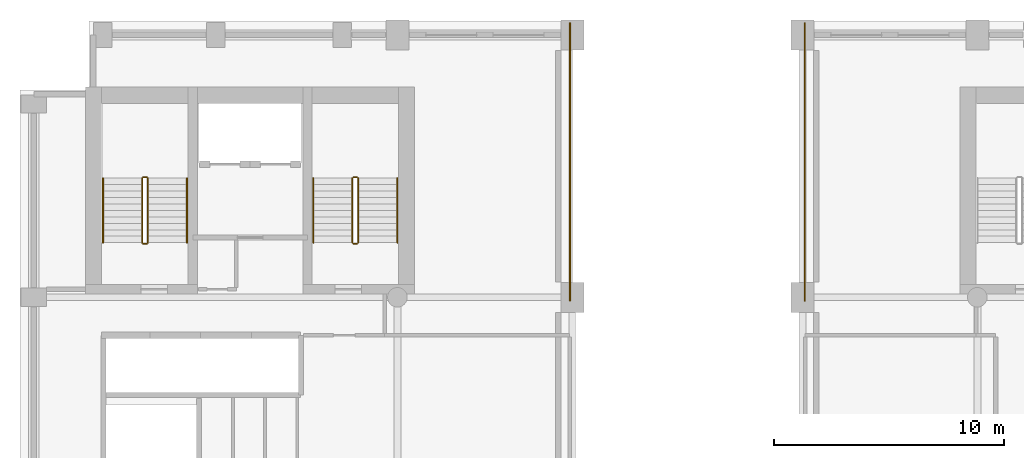
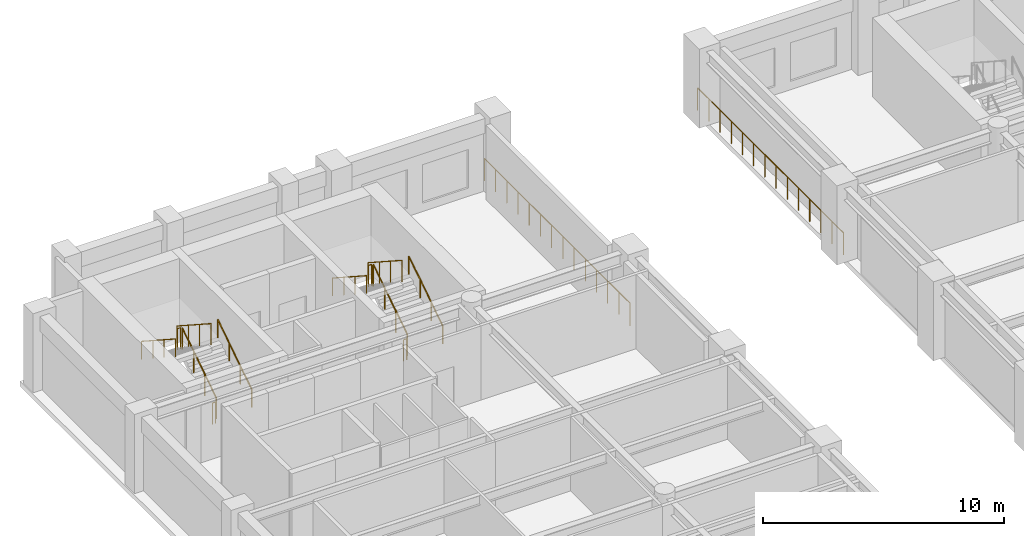
# One storey, part 7 of 8: 14 railings.
"""IFC4 building model written with IfcOpenShell, lengths in metres."""

from ifc_helpers import new_model, si_unit, direction, frame, origin, origin_2d, place, context, subcontext, project, spatial, circle, extrude, material, type_object, element, save


model = new_model("IFC4")

# Units and contexts
model_context = context("Model", 3, precision=1e-05, world=origin(), true_north=direction((0.0, 1.0)))
body_context = subcontext(model_context, "Body", "Model", "MODEL_VIEW")
ifc_project = project(units=[si_unit("LENGTHUNIT", "METRE"), si_unit("AREAUNIT", "SQUARE_METRE"), si_unit("VOLUMEUNIT", "CUBIC_METRE"), si_unit("PLANEANGLEUNIT", "RADIAN"), si_unit("MASSUNIT", "GRAM", prefix="KILO")], contexts=[model_context])

# Site, building, storey
site_placement = place(None, origin())
site = spatial("IfcSite", under=ifc_project, at=site_placement, CompositionType="ELEMENT")
building_placement = place(site_placement, origin())
building = spatial("IfcBuilding", under=site, at=building_placement, Name="Sulina Concourse Tower", CompositionType="ELEMENT")
storey_placement = place(building_placement, frame((0.0, 0.0, 186.60009765625)))
storey = spatial("IfcBuildingStorey", under=building, at=storey_placement, Name="L45", CompositionType="ELEMENT", Elevation=186.60009765625)

# Railings
ifc_material_1 = material(Name="Galvanised steel railing", Category="steel")
railing_type_1 = type_object("IfcRailingType", Name="Core Stair Steel Guardrail 1150mm", PredefinedType="GUARDRAIL", material=ifc_material_1)
railing_1_placement = place(storey_placement, frame((23.89990234375, 33.85009765625, 0.0)))
element("IfcRailing", 1, at=railing_1_placement, inside=storey, type_object=railing_type_1, Name="L45 perimeter edge safety guardrail PFLW", PredefinedType="GUARDRAIL", context=body_context, shape_type="SweptSolid", body=[
    extrude(circle(Radius=0.02392578125, at=origin_2d()), frame((0.0, 0.0, 1.1259765625), z_axis=(0.0, 1.0, 0.0), x_axis=(-1.0, 0.0, 0.0)), (0.0, 0.0, 1.0), 12.06982421875),
    extrude(circle(Radius=0.02099609375, at=origin_2d()), origin(), (0.0, 0.0, 1.0), 1.101806640625),
    extrude(circle(Radius=0.02099609375, at=origin_2d()), frame((0.0, 0.928466796875, 0.0)), (0.0, 0.0, 1.0), 1.101806640625),
    extrude(circle(Radius=0.02099609375, at=origin_2d()), frame((0.0, 1.85693359375, 0.0)), (0.0, 0.0, 1.0), 1.101806640625),
    extrude(circle(Radius=0.02099609375, at=origin_2d()), frame((0.0, 2.785400390625, 0.0)), (0.0, 0.0, 1.0), 1.101806640625),
    extrude(circle(Radius=0.02099609375, at=origin_2d()), frame((0.0, 3.7138671875, 0.0)), (0.0, 0.0, 1.0), 1.101806640625),
    extrude(circle(Radius=0.02099609375, at=origin_2d()), frame((0.0, 4.642333984375, 0.0)), (0.0, 0.0, 1.0), 1.101806640625),
    extrude(circle(Radius=0.02099609375, at=origin_2d()), frame((0.0, 5.57080078125, 0.0)), (0.0, 0.0, 1.0), 1.101806640625),
    extrude(circle(Radius=0.02099609375, at=origin_2d()), frame((0.0, 6.4990234375, 0.0)), (0.0, 0.0, 1.0), 1.101806640625),
    extrude(circle(Radius=0.02099609375, at=origin_2d()), frame((0.0, 7.427490234375, 0.0)), (0.0, 0.0, 1.0), 1.101806640625),
    extrude(circle(Radius=0.02099609375, at=origin_2d()), frame((0.0, 8.35595703125, 0.0)), (0.0, 0.0, 1.0), 1.101806640625),
    extrude(circle(Radius=0.02099609375, at=origin_2d()), frame((0.0, 9.284423828125, 0.0)), (0.0, 0.0, 1.0), 1.101806640625),
    extrude(circle(Radius=0.02099609375, at=origin_2d()), frame((0.0, 10.212890625, 0.0)), (0.0, 0.0, 1.0), 1.101806640625),
    extrude(circle(Radius=0.02099609375, at=origin_2d()), frame((0.0, 11.141357421875, 0.0)), (0.0, 0.0, 1.0), 1.101806640625),
    extrude(circle(Radius=0.02099609375, at=origin_2d()), frame((0.0, 12.06982421875, 0.0)), (0.0, 0.0, 1.0), 1.101806640625),
])
railing_2_placement = place(storey_placement, frame((34.10009765625, 33.85009765625, 0.0)))
element("IfcRailing", 2, at=railing_2_placement, inside=storey, type_object=railing_type_1, Name="L45 perimeter edge safety guardrail PFLE", PredefinedType="GUARDRAIL", context=body_context, shape_type="SweptSolid", body=[
    extrude(circle(Radius=0.02392578125, at=origin_2d()), frame((0.0, 0.0, 1.1259765625), z_axis=(0.0, 1.0, 0.0), x_axis=(-1.0, 0.0, 0.0)), (0.0, 0.0, 1.0), 12.06982421875),
    extrude(circle(Radius=0.02099609375, at=origin_2d()), origin(), (0.0, 0.0, 1.0), 1.101806640625),
    extrude(circle(Radius=0.02099609375, at=origin_2d()), frame((0.0, 0.928466796875, 0.0)), (0.0, 0.0, 1.0), 1.101806640625),
    extrude(circle(Radius=0.02099609375, at=origin_2d()), frame((0.0, 1.85693359375, 0.0)), (0.0, 0.0, 1.0), 1.101806640625),
    extrude(circle(Radius=0.02099609375, at=origin_2d()), frame((0.0, 2.785400390625, 0.0)), (0.0, 0.0, 1.0), 1.101806640625),
    extrude(circle(Radius=0.02099609375, at=origin_2d()), frame((0.0, 3.7138671875, 0.0)), (0.0, 0.0, 1.0), 1.101806640625),
    extrude(circle(Radius=0.02099609375, at=origin_2d()), frame((0.0, 4.642333984375, 0.0)), (0.0, 0.0, 1.0), 1.101806640625),
    extrude(circle(Radius=0.02099609375, at=origin_2d()), frame((0.0, 5.57080078125, 0.0)), (0.0, 0.0, 1.0), 1.101806640625),
    extrude(circle(Radius=0.02099609375, at=origin_2d()), frame((0.0, 6.4990234375, 0.0)), (0.0, 0.0, 1.0), 1.101806640625),
    extrude(circle(Radius=0.02099609375, at=origin_2d()), frame((0.0, 7.427490234375, 0.0)), (0.0, 0.0, 1.0), 1.101806640625),
    extrude(circle(Radius=0.02099609375, at=origin_2d()), frame((0.0, 8.35595703125, 0.0)), (0.0, 0.0, 1.0), 1.101806640625),
    extrude(circle(Radius=0.02099609375, at=origin_2d()), frame((0.0, 9.284423828125, 0.0)), (0.0, 0.0, 1.0), 1.101806640625),
    extrude(circle(Radius=0.02099609375, at=origin_2d()), frame((0.0, 10.212890625, 0.0)), (0.0, 0.0, 1.0), 1.101806640625),
    extrude(circle(Radius=0.02099609375, at=origin_2d()), frame((0.0, 11.141357421875, 0.0)), (0.0, 0.0, 1.0), 1.101806640625),
    extrude(circle(Radius=0.02099609375, at=origin_2d()), frame((0.0, 12.06982421875, 0.0)), (0.0, 0.0, 1.0), 1.101806640625),
])
railing_3_placement = place(storey_placement, frame((5.554931640625, 36.375, 0.181640625)))
element("IfcRailing", 3, at=railing_3_placement, inside=storey, type_object=railing_type_1, Name="L45 ST-1 stair guard 1", PredefinedType="GUARDRAIL", context=body_context, shape_type="SweptSolid", body=[
    extrude(circle(Radius=0.02392578125, at=origin_2d()), frame((0.0, 0.0, 1.076171875), z_axis=(0.0, 0.838672427954, 0.544636170843), x_axis=(-1.0, 0.0, 0.0)), (0.0, 0.0, 1.0), 3.338623046875),
    extrude(circle(Radius=0.02099609375, at=origin_2d()), origin(), (0.0, 0.0, 1.0), 1.052001953125),
    extrude(circle(Radius=0.02099609375, at=origin_2d()), frame((0.0, 0.933349609375, 0.606201171875)), (0.0, 0.0, 1.0), 1.052001953125),
    extrude(circle(Radius=0.02099609375, at=origin_2d()), frame((0.0, 1.86669921875, 1.212158203125)), (0.0, 0.0, 1.0), 1.052001953125),
    extrude(circle(Radius=0.02099609375, at=origin_2d()), frame((0.0, 2.800048828125, 1.818359375)), (0.0, 0.0, 1.0), 1.052001953125),
])
railing_4_placement = place(storey_placement, frame((5.5048828125, 39.22509765625, 2.0)))
element("IfcRailing", 4, at=railing_4_placement, inside=storey, type_object=railing_type_1, Name="L45 ST-1 stair guard 2", PredefinedType="GUARDRAIL", context=body_context, shape_type="SweptSolid", body=[
    extrude(circle(Radius=0.02392578125, at=origin_2d()), frame((0.0, 0.0, 1.076171875), z_axis=(-1.0, 0.0, 0.0), x_axis=(0.0, -1.0, 0.0)), (0.0, 0.0, 1.0), 0.14990234375),
    extrude(circle(Radius=0.02099609375, at=origin_2d()), origin(), (0.0, 0.0, 1.0), 1.052001953125),
    extrude(circle(Radius=0.02099609375, at=origin_2d()), frame((-0.14990234375, 0.0, 0.0)), (0.0, 0.0, 1.0), 1.052001953125),
])
railing_5_placement = place(storey_placement, frame((5.304931640625, 39.175048828125, 2.181640625)))
element("IfcRailing", 5, at=railing_5_placement, inside=storey, type_object=railing_type_1, Name="L45 ST-1 stair guard 3", PredefinedType="GUARDRAIL", context=body_context, shape_type="SweptSolid", body=[
    extrude(circle(Radius=0.02392578125, at=origin_2d()), frame((0.0, 0.0, 1.076171875), z_axis=(0.0, -0.838672427954, 0.544636170843), x_axis=(1.0, 0.0, 0.0)), (0.0, 0.0, 1.0), 3.338623046875),
    extrude(circle(Radius=0.02099609375, at=origin_2d()), origin(), (0.0, 0.0, 1.0), 1.052001953125),
    extrude(circle(Radius=0.02099609375, at=origin_2d()), frame((0.0, -0.933349609375, 0.606201171875)), (0.0, 0.0, 1.0), 1.052001953125),
    extrude(circle(Radius=0.02099609375, at=origin_2d()), frame((0.0, -1.86669921875, 1.212158203125)), (0.0, 0.0, 1.0), 1.052001953125),
    extrude(circle(Radius=0.02099609375, at=origin_2d()), frame((0.0, -2.800048828125, 1.818359375)), (0.0, 0.0, 1.0), 1.052001953125),
])
railing_6_placement = place(storey_placement, frame((5.5048828125, 36.324951171875, 0.0)))
element("IfcRailing", 6, at=railing_6_placement, inside=storey, type_object=railing_type_1, Name="L45 ST-1 stair guard 4", PredefinedType="GUARDRAIL", context=body_context, shape_type="SweptSolid", body=[
    extrude(circle(Radius=0.02392578125, at=origin_2d()), frame((0.0, 0.0, 1.076171875), z_axis=(-1.0, 0.0, 0.0), x_axis=(0.0, -1.0, 0.0)), (0.0, 0.0, 1.0), 0.14990234375),
    extrude(circle(Radius=0.02099609375, at=origin_2d()), origin(), (0.0, 0.0, 1.0), 1.052001953125),
    extrude(circle(Radius=0.02099609375, at=origin_2d()), frame((-0.14990234375, 0.0, 0.0)), (0.0, 0.0, 1.0), 1.052001953125),
])
railing_7_placement = place(storey_placement, frame((14.695068359375, 36.375, 0.181640625)))
element("IfcRailing", 7, at=railing_7_placement, inside=storey, type_object=railing_type_1, Name="L45 ST-2 stair guard 1", PredefinedType="GUARDRAIL", context=body_context, shape_type="SweptSolid", body=[
    extrude(circle(Radius=0.02392578125, at=origin_2d()), frame((0.0, 0.0, 1.076171875), z_axis=(0.0, 0.838672427954, 0.544636170843), x_axis=(-1.0, 0.0, 0.0)), (0.0, 0.0, 1.0), 3.338623046875),
    extrude(circle(Radius=0.02099609375, at=origin_2d()), origin(), (0.0, 0.0, 1.0), 1.052001953125),
    extrude(circle(Radius=0.02099609375, at=origin_2d()), frame((0.0, 0.933349609375, 0.606201171875)), (0.0, 0.0, 1.0), 1.052001953125),
    extrude(circle(Radius=0.02099609375, at=origin_2d()), frame((0.0, 1.86669921875, 1.212158203125)), (0.0, 0.0, 1.0), 1.052001953125),
    extrude(circle(Radius=0.02099609375, at=origin_2d()), frame((0.0, 2.800048828125, 1.818359375)), (0.0, 0.0, 1.0), 1.052001953125),
])
railing_8_placement = place(storey_placement, frame((14.64501953125, 39.22509765625, 2.0)))
element("IfcRailing", 8, at=railing_8_placement, inside=storey, type_object=railing_type_1, Name="L45 ST-2 stair guard 2", PredefinedType="GUARDRAIL", context=body_context, shape_type="SweptSolid", body=[
    extrude(circle(Radius=0.02392578125, at=origin_2d()), frame((0.0, 0.0, 1.076171875), z_axis=(-1.0, 0.0, 0.0), x_axis=(0.0, -1.0, 0.0)), (0.0, 0.0, 1.0), 0.14990234375),
    extrude(circle(Radius=0.02099609375, at=origin_2d()), origin(), (0.0, 0.0, 1.0), 1.052001953125),
    extrude(circle(Radius=0.02099609375, at=origin_2d()), frame((-0.14990234375, 0.0, 0.0)), (0.0, 0.0, 1.0), 1.052001953125),
])
railing_9_placement = place(storey_placement, frame((14.445068359375, 39.175048828125, 2.181640625)))
element("IfcRailing", 9, at=railing_9_placement, inside=storey, type_object=railing_type_1, Name="L45 ST-2 stair guard 3", PredefinedType="GUARDRAIL", context=body_context, shape_type="SweptSolid", body=[
    extrude(circle(Radius=0.02392578125, at=origin_2d()), frame((0.0, 0.0, 1.076171875), z_axis=(0.0, -0.838672427954, 0.544636170843), x_axis=(1.0, 0.0, 0.0)), (0.0, 0.0, 1.0), 3.338623046875),
    extrude(circle(Radius=0.02099609375, at=origin_2d()), origin(), (0.0, 0.0, 1.0), 1.052001953125),
    extrude(circle(Radius=0.02099609375, at=origin_2d()), frame((0.0, -0.933349609375, 0.606201171875)), (0.0, 0.0, 1.0), 1.052001953125),
    extrude(circle(Radius=0.02099609375, at=origin_2d()), frame((0.0, -1.86669921875, 1.212158203125)), (0.0, 0.0, 1.0), 1.052001953125),
    extrude(circle(Radius=0.02099609375, at=origin_2d()), frame((0.0, -2.800048828125, 1.818359375)), (0.0, 0.0, 1.0), 1.052001953125),
])
railing_10_placement = place(storey_placement, frame((14.64501953125, 36.324951171875, 0.0)))
element("IfcRailing", 10, at=railing_10_placement, inside=storey, type_object=railing_type_1, Name="L45 ST-2 stair guard 4", PredefinedType="GUARDRAIL", context=body_context, shape_type="SweptSolid", body=[
    extrude(circle(Radius=0.02392578125, at=origin_2d()), frame((0.0, 0.0, 1.076171875), z_axis=(-1.0, 0.0, 0.0), x_axis=(0.0, -1.0, 0.0)), (0.0, 0.0, 1.0), 0.14990234375),
    extrude(circle(Radius=0.02099609375, at=origin_2d()), origin(), (0.0, 0.0, 1.0), 1.052001953125),
    extrude(circle(Radius=0.02099609375, at=origin_2d()), frame((-0.14990234375, 0.0, 0.0)), (0.0, 0.0, 1.0), 1.052001953125),
])
ifc_material_2 = material(Name="Galvanised steel railing", Category="steel")
railing_type_2 = type_object("IfcRailingType", Name="Stair Wall Steel Handrail 920mm", PredefinedType="HANDRAIL", material=ifc_material_2)
railing_11_placement = place(storey_placement, frame((7.2548828125, 36.375, 0.181640625)))
element("IfcRailing", 11, at=railing_11_placement, inside=storey, type_object=railing_type_2, Name="L45 ST-1 stair handrail 1", PredefinedType="HANDRAIL", context=body_context, shape_type="SweptSolid", body=[
    extrude(circle(Radius=0.02392578125, at=origin_2d()), frame((0.0, 0.0, 0.89599609375), z_axis=(0.0, 0.838672427954, 0.544636170843), x_axis=(-1.0, 0.0, 0.0)), (0.0, 0.0, 1.0), 3.338623046875),
    extrude(circle(Radius=0.02099609375, at=origin_2d()), origin(), (0.0, 0.0, 1.0), 0.871826171875),
    extrude(circle(Radius=0.02099609375, at=origin_2d()), frame((0.0, 0.933349609375, 0.606201171875)), (0.0, 0.0, 1.0), 0.871826171875),
    extrude(circle(Radius=0.02099609375, at=origin_2d()), frame((0.0, 1.86669921875, 1.212158203125)), (0.0, 0.0, 1.0), 0.871826171875),
    extrude(circle(Radius=0.02099609375, at=origin_2d()), frame((0.0, 2.800048828125, 1.818359375)), (0.0, 0.0, 1.0), 0.871826171875),
])
railing_12_placement = place(storey_placement, frame((3.60498046875, 39.175048828125, 2.181640625)))
element("IfcRailing", 12, at=railing_12_placement, inside=storey, type_object=railing_type_2, Name="L45 ST-1 stair handrail 2", PredefinedType="HANDRAIL", context=body_context, shape_type="SweptSolid", body=[
    extrude(circle(Radius=0.02392578125, at=origin_2d()), frame((0.0, 0.0, 0.89599609375), z_axis=(0.0, -0.838672427954, 0.544636170843), x_axis=(1.0, 0.0, 0.0)), (0.0, 0.0, 1.0), 3.338623046875),
    extrude(circle(Radius=0.02099609375, at=origin_2d()), origin(), (0.0, 0.0, 1.0), 0.871826171875),
    extrude(circle(Radius=0.02099609375, at=origin_2d()), frame((0.0, -0.933349609375, 0.606201171875)), (0.0, 0.0, 1.0), 0.871826171875),
    extrude(circle(Radius=0.02099609375, at=origin_2d()), frame((0.0, -1.86669921875, 1.212158203125)), (0.0, 0.0, 1.0), 0.871826171875),
    extrude(circle(Radius=0.02099609375, at=origin_2d()), frame((0.0, -2.800048828125, 1.818359375)), (0.0, 0.0, 1.0), 0.871826171875),
])
railing_13_placement = place(storey_placement, frame((16.39501953125, 36.375, 0.181640625)))
element("IfcRailing", 13, at=railing_13_placement, inside=storey, type_object=railing_type_2, Name="L45 ST-2 stair handrail 1", PredefinedType="HANDRAIL", context=body_context, shape_type="SweptSolid", body=[
    extrude(circle(Radius=0.02392578125, at=origin_2d()), frame((0.0, 0.0, 0.89599609375), z_axis=(0.0, 0.838672427954, 0.544636170843), x_axis=(-1.0, 0.0, 0.0)), (0.0, 0.0, 1.0), 3.338623046875),
    extrude(circle(Radius=0.02099609375, at=origin_2d()), origin(), (0.0, 0.0, 1.0), 0.871826171875),
    extrude(circle(Radius=0.02099609375, at=origin_2d()), frame((0.0, 0.933349609375, 0.606201171875)), (0.0, 0.0, 1.0), 0.871826171875),
    extrude(circle(Radius=0.02099609375, at=origin_2d()), frame((0.0, 1.86669921875, 1.212158203125)), (0.0, 0.0, 1.0), 0.871826171875),
    extrude(circle(Radius=0.02099609375, at=origin_2d()), frame((0.0, 2.800048828125, 1.818359375)), (0.0, 0.0, 1.0), 0.871826171875),
])
railing_14_placement = place(storey_placement, frame((12.7451171875, 39.175048828125, 2.181640625)))
element("IfcRailing", 14, at=railing_14_placement, inside=storey, type_object=railing_type_2, Name="L45 ST-2 stair handrail 2", PredefinedType="HANDRAIL", context=body_context, shape_type="SweptSolid", body=[
    extrude(circle(Radius=0.02392578125, at=origin_2d()), frame((0.0, 0.0, 0.89599609375), z_axis=(0.0, -0.838672427954, 0.544636170843), x_axis=(1.0, 0.0, 0.0)), (0.0, 0.0, 1.0), 3.338623046875),
    extrude(circle(Radius=0.02099609375, at=origin_2d()), origin(), (0.0, 0.0, 1.0), 0.871826171875),
    extrude(circle(Radius=0.02099609375, at=origin_2d()), frame((0.0, -0.933349609375, 0.606201171875)), (0.0, 0.0, 1.0), 0.871826171875),
    extrude(circle(Radius=0.02099609375, at=origin_2d()), frame((0.0, -1.86669921875, 1.212158203125)), (0.0, 0.0, 1.0), 0.871826171875),
    extrude(circle(Radius=0.02099609375, at=origin_2d()), frame((0.0, -2.800048828125, 1.818359375)), (0.0, 0.0, 1.0), 0.871826171875),
])

save(model, "model.ifc")
